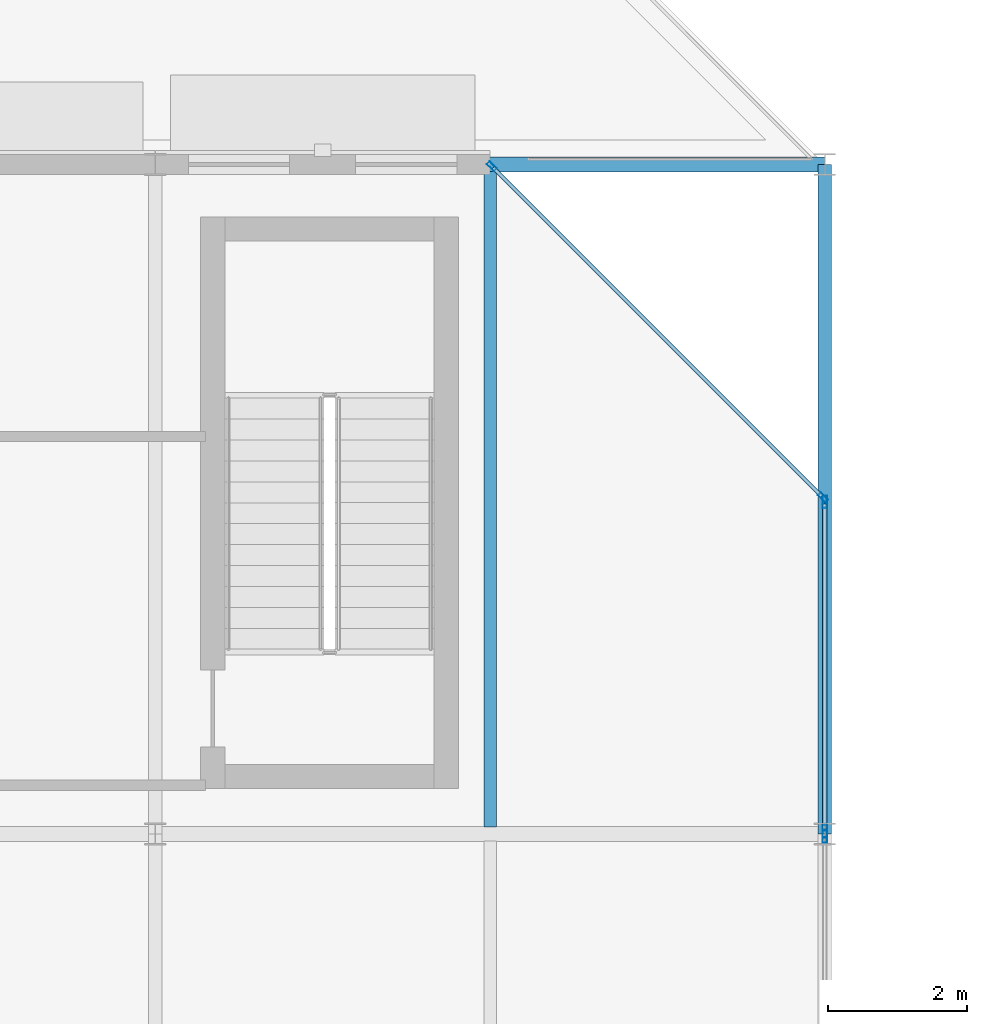
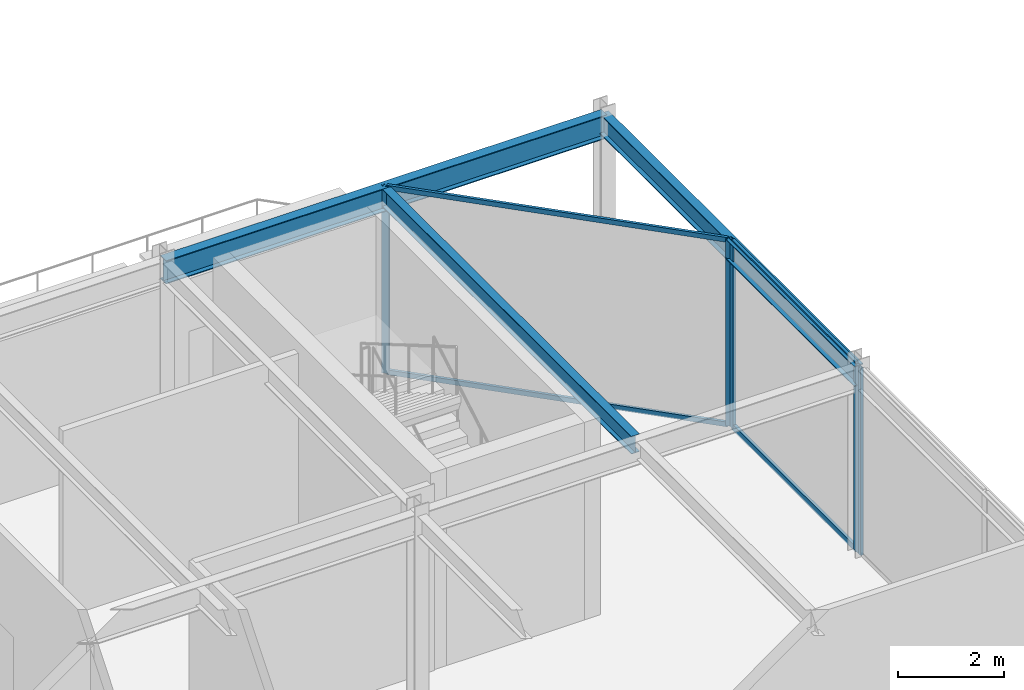
# One storey, part 17 of 50: 9 members, 3 beams, 3 elements without a shape of their own.
"""IFC4 building model written with IfcOpenShell, lengths in metres."""

from ifc_helpers import new_model, si_unit, direction, frame, origin, origin_2d, place, context, subcontext, project, spatial, hollow_rectangle, i_section, extrude, material, material_profile, profile_set, type_object, element, aggregate, save


model = new_model("IFC4")

# Units and contexts
model_context = context("Model", 3, precision=1e-05, world=origin(), true_north=direction((0.0, 1.0)))
body_context = subcontext(model_context, "Body", "Model", "MODEL_VIEW")
ifc_project = project(units=[si_unit("LENGTHUNIT", "METRE"), si_unit("AREAUNIT", "SQUARE_METRE"), si_unit("VOLUMEUNIT", "CUBIC_METRE"), si_unit("PLANEANGLEUNIT", "RADIAN"), si_unit("MASSUNIT", "GRAM", prefix="KILO")], contexts=[model_context])

# Site, building, storey
site_placement = place(None, origin())
site = spatial("IfcSite", under=ifc_project, at=site_placement, CompositionType="ELEMENT")
building_placement = place(site_placement, origin())
building = spatial("IfcBuilding", under=site, at=building_placement, Name="Almandine Court Research Institute", CompositionType="ELEMENT")
storey_placement = place(building_placement, frame((0.0, 0.0, 23.449951171875)))
storey = spatial("IfcBuildingStorey", under=building, at=storey_placement, Name="L05", CompositionType="ELEMENT", Elevation=23.449951171875)

# Beams
ifc_material_1 = material(Name="Steel ASTM A992 Grade 50", Category="steel")
ifc_material_profile_1 = material_profile(ifc_material_1, i_section(OverallWidth=0.178955078125, OverallDepth=0.409912109375, WebThickness=0.009033203125, FlangeThickness=0.013916015625, at=origin_2d()), Name="W410x67")
ifc_profile_set_1 = profile_set([ifc_material_profile_1], Name="Steel ASTM A992 Grade 50")
beam_type_1 = type_object("IfcBeamType", Name="Beam-B-02", PredefinedType="JOIST", material=ifc_profile_set_1)
beam_1_placement = place(storey_placement, frame((30.0, 103.302978515625, 4.10302734375), z_axis=(0.0, 1.0, 0.0), x_axis=(-1.0, 0.0, 0.0)))
element("IfcBeam", 1, at=beam_1_placement, inside=storey, type_object=beam_type_1, Name="L05 V3 Composite Secondary Beam", PredefinedType="JOIST", context=body_context, shape_type="SweptSolid", body=[
    extrude(i_section(OverallWidth=0.178955078125, OverallDepth=0.409912109375, WebThickness=0.009033203125, FlangeThickness=0.013916015625, at=origin_2d()), origin(), (0.0, 0.0, 1.0), 9.39404296875),
])
ifc_material_profile_2 = material_profile(ifc_material_1, i_section(OverallWidth=0.2109375, OverallDepth=0.5390625, WebThickness=0.011962890625, FlangeThickness=0.01904296875, at=origin_2d()), Name="W530x109")
ifc_profile_set_2 = profile_set([ifc_material_profile_2], Name="Steel ASTM A992 Grade 50")
beam_type_2 = type_object("IfcBeamType", Name="Beam-G-04", PredefinedType="BEAM", material=ifc_profile_set_2)
beam_2_placement = place(storey_placement, frame((25.199951171875, 112.800048828125, 4.0390625), z_axis=(1.0, 0.0, 0.0), x_axis=(0.0, 1.0, 0.0)))
element("IfcBeam", 2, at=beam_2_placement, inside=storey, type_object=beam_type_2, Name="L05 V3 Primary X Girder", PredefinedType="BEAM", context=body_context, shape_type="SweptSolid", body=[
    extrude(i_section(OverallWidth=0.2109375, OverallDepth=0.5390625, WebThickness=0.011962890625, FlangeThickness=0.01904296875, at=origin_2d()), origin(), (0.0, 0.0, 1.0), 9.60009765625),
])
ifc_material_profile_3 = material_profile(ifc_material_1, i_section(OverallWidth=0.193115234375, OverallDepth=0.466064453125, WebThickness=0.010986328125, FlangeThickness=0.01904296875, at=origin_2d()), Name="W460x97")
ifc_profile_set_3 = profile_set([ifc_material_profile_3], Name="Steel ASTM A992 Grade 50")
beam_type_3 = type_object("IfcBeamType", Name="Beam-G-06-E", PredefinedType="SPANDREL", material=ifc_profile_set_3)
beam_3_placement = place(storey_placement, frame((34.800048828125, 103.199951171875, 4.074951171875), z_axis=(0.0, 1.0, 0.0), x_axis=(-1.0, 0.0, 0.0)))
element("IfcBeam", 3, at=beam_3_placement, inside=storey, type_object=beam_type_3, Name="L05 V3 Primary Y Girder", PredefinedType="SPANDREL", context=body_context, shape_type="SweptSolid", body=[
    extrude(i_section(OverallWidth=0.193115234375, OverallDepth=0.466064453125, WebThickness=0.010986328125, FlangeThickness=0.01904296875, at=origin_2d()), origin(), (0.0, 0.0, 1.0), 9.60009765625),
])

# Curtain wall, members
ifc_material_2 = material(Name="Unitised Curtain Wall Framing and Solar Glazing", Category="glass")
curtain_wall_type_1 = type_object("IfcCurtainWallType", Name="CW-CWG-10", PredefinedType="USERDEFINED", material=ifc_material_2)
curtain_wall_1_placement = place(storey_placement, origin())
curtain_wall_1 = element("IfcCurtainWall", 4, at=curtain_wall_1_placement, inside=storey, type_object=curtain_wall_type_1, Name="L05 Cleanroom NE Chamfer Glazing", ObjectType="UNITISED GLAZING", PredefinedType="USERDEFINED")
ifc_material_3 = material(Name="Anodised Aluminium AW-6063-T6", Category="aluminium")
ifc_material_profile_4 = material_profile(ifc_material_3, hollow_rectangle(XDim=0.06005859375, YDim=0.14990234375, WallThickness=0.00390625, at=origin_2d()), Name="ALU RHS 60x150x4")
ifc_profile_set_4 = profile_set([ifc_material_profile_4], Name="Anodised Aluminium AW-6063-T6")
member_type_1 = type_object("IfcMemberType", Name="CWMul-60x150", PredefinedType="MULLION", material=ifc_profile_set_4)
member_1_placement = place(storey_placement, frame((30.025146484375, 112.77490234375, 0.0), z_axis=(0.0, 0.0, 1.0), x_axis=(0.707106781187, 0.707106781187, 0.0)))
member_1 = element("IfcMember", 5, at=member_1_placement, type_object=member_type_1, Name="CWG-10 mullion 1", PredefinedType="MULLION", context=body_context, shape_type="SweptSolid", body=[
    extrude(hollow_rectangle(XDim=0.06005859375, YDim=0.14990234375, WallThickness=0.00390625, at=origin_2d()), origin(), (0.0, 0.0, 1.0), 4.31005859375),
])
member_2_placement = place(storey_placement, frame((34.77490234375, 108.025146484375, 0.0), z_axis=(0.0, 0.0, 1.0), x_axis=(0.707106781187, 0.707106781187, 0.0)))
member_2 = element("IfcMember", 6, at=member_2_placement, type_object=member_type_1, Name="CWG-10 mullion 2", PredefinedType="MULLION", context=body_context, shape_type="SweptSolid", body=[
    extrude(hollow_rectangle(XDim=0.06005859375, YDim=0.14990234375, WallThickness=0.00390625, at=origin_2d()), origin(), (0.0, 0.0, 1.0), 4.31005859375),
])

# Curtain wall, member
curtain_wall_type_2 = type_object("IfcCurtainWallType", Name="CW-CWJ-11", PredefinedType="USERDEFINED", material=ifc_material_2)
curtain_wall_2_placement = place(storey_placement, origin())
curtain_wall_2 = element("IfcCurtainWall", 7, at=curtain_wall_2_placement, inside=storey, type_object=curtain_wall_type_2, Name="L05 Cleanroom East Courtyard Jali Screen 2", ObjectType="SOLAR JALI SCREEN", PredefinedType="USERDEFINED")
ifc_material_profile_5 = material_profile(ifc_material_3, hollow_rectangle(XDim=0.06494140625, YDim=0.179931640625, WallThickness=0.00390625, at=origin_2d()), Name="ALU RHS 65x180x4")
ifc_profile_set_5 = profile_set([ifc_material_profile_5], Name="Anodised Aluminium AW-6063-T6")
member_type_2 = type_object("IfcMemberType", Name="CWMul-65x180", PredefinedType="MULLION", material=ifc_profile_set_5)
member_3_placement = place(storey_placement, frame((34.800048828125, 103.16357421875, 0.0), z_axis=(0.0, 0.0, 1.0), x_axis=(1.0, 0.0, 0.0)))
member_3 = element("IfcMember", 8, at=member_3_placement, type_object=member_type_2, Name="CWJ-11 mullion 1", PredefinedType="MULLION", context=body_context, shape_type="SweptSolid", body=[
    extrude(hollow_rectangle(XDim=0.06494140625, YDim=0.179931640625, WallThickness=0.00390625, at=origin_2d()), origin(), (0.0, 0.0, 1.0), 4.31005859375),
])
aggregate(curtain_wall_2, [member_3])

# Curtain wall, members
curtain_wall_type_3 = type_object("IfcCurtainWallType", Name="CW-CWJ-12", PredefinedType="USERDEFINED", material=ifc_material_2)
curtain_wall_3_placement = place(storey_placement, origin())
curtain_wall_3 = element("IfcCurtainWall", 9, at=curtain_wall_3_placement, inside=storey, type_object=curtain_wall_type_3, Name="L05 Cleanroom East Courtyard Jali Screen 3", ObjectType="SOLAR JALI SCREEN", PredefinedType="USERDEFINED")
member_4_placement = place(storey_placement, frame((34.800048828125, 107.96337890625, 0.0), z_axis=(0.0, 0.0, 1.0), x_axis=(1.0, 0.0, 0.0)))
member_4 = element("IfcMember", 10, at=member_4_placement, type_object=member_type_2, Name="CWJ-12 mullion 1", PredefinedType="MULLION", context=body_context, shape_type="SweptSolid", body=[
    extrude(hollow_rectangle(XDim=0.06494140625, YDim=0.179931640625, WallThickness=0.00390625, at=origin_2d()), origin(), (0.0, 0.0, 1.0), 4.31005859375),
])
member_5_placement = place(storey_placement, frame((34.800048828125, 103.236572265625, 0.0), z_axis=(0.0, 0.0, 1.0), x_axis=(1.0, 0.0, 0.0)))
member_5 = element("IfcMember", 11, at=member_5_placement, type_object=member_type_2, Name="CWJ-12 mullion 2", PredefinedType="MULLION", context=body_context, shape_type="SweptSolid", body=[
    extrude(hollow_rectangle(XDim=0.06494140625, YDim=0.179931640625, WallThickness=0.00390625, at=origin_2d()), origin(), (0.0, 0.0, 1.0), 4.31005859375),
])

# Member
ifc_material_profile_6 = material_profile(ifc_material_3, hollow_rectangle(XDim=0.06005859375, YDim=0.110107421875, WallThickness=0.00390625, at=origin_2d()), Name="ALU RHS 60x110x4")
ifc_profile_set_6 = profile_set([ifc_material_profile_6], Name="Anodised Aluminium AW-6063-T6")
member_type_3 = type_object("IfcMemberType", Name="CWTrn-60x110", PredefinedType="NOTDEFINED", material=ifc_profile_set_6)
member_6_placement = place(storey_placement, frame((30.04638671875, 112.753662109375, 0.030029296875), z_axis=(0.707106781187, -0.707106781187, 0.0), x_axis=(0.707106781187, 0.707106781187, 0.0)))
member_6 = element("IfcMember", 12, at=member_6_placement, type_object=member_type_3, Name="CWG-10 transom 1.1", ObjectType="TRANSOM", PredefinedType="USERDEFINED", context=body_context, shape_type="SweptSolid", body=[
    extrude(hollow_rectangle(XDim=0.06005859375, YDim=0.110107421875, WallThickness=0.00390625, at=origin_2d()), origin(), (0.0, 0.0, 1.0), 6.656982421875),
])

member_7_placement = place(storey_placement, frame((30.04638671875, 112.753662109375, 4.280029296875), z_axis=(0.707106781187, -0.707106781187, 0.0), x_axis=(0.707106781187, 0.707106781187, 0.0)))
member_7 = element("IfcMember", 13, at=member_7_placement, type_object=member_type_3, Name="CWG-10 transom 1.2", ObjectType="TRANSOM", PredefinedType="USERDEFINED", context=body_context, shape_type="SweptSolid", body=[
    extrude(hollow_rectangle(XDim=0.06005859375, YDim=0.110107421875, WallThickness=0.00390625, at=origin_2d()), origin(), (0.0, 0.0, 1.0), 6.656982421875),
])

aggregate(curtain_wall_1, [member_1, member_2, member_6, member_7])

ifc_material_profile_7 = material_profile(ifc_material_3, hollow_rectangle(XDim=0.06494140625, YDim=0.1298828125, WallThickness=0.00390625, at=origin_2d()), Name="ALU RHS 65x130x4")
ifc_profile_set_7 = profile_set([ifc_material_profile_7], Name="Anodised Aluminium AW-6063-T6")
member_type_4 = type_object("IfcMemberType", Name="CWTrn-65x130", PredefinedType="NOTDEFINED", material=ifc_profile_set_7)
member_8_placement = place(storey_placement, frame((34.800048828125, 107.930908203125, 0.032470703125), z_axis=(0.0, -1.0, 0.0), x_axis=(1.0, 0.0, 0.0)))
member_8 = element("IfcMember", 14, at=member_8_placement, type_object=member_type_4, Name="CWJ-12 transom 1.1", ObjectType="TRANSOM", PredefinedType="USERDEFINED", context=body_context, shape_type="SweptSolid", body=[
    extrude(hollow_rectangle(XDim=0.06494140625, YDim=0.1298828125, WallThickness=0.00390625, at=origin_2d()), origin(), (0.0, 0.0, 1.0), 4.661865234375),
])

member_9_placement = place(storey_placement, frame((34.800048828125, 107.930908203125, 4.277587890625), z_axis=(0.0, -1.0, 0.0), x_axis=(1.0, 0.0, 0.0)))
member_9 = element("IfcMember", 15, at=member_9_placement, type_object=member_type_4, Name="CWJ-12 transom 1.2", ObjectType="TRANSOM", PredefinedType="USERDEFINED", context=body_context, shape_type="SweptSolid", body=[
    extrude(hollow_rectangle(XDim=0.06494140625, YDim=0.1298828125, WallThickness=0.00390625, at=origin_2d()), origin(), (0.0, 0.0, 1.0), 4.661865234375),
])

aggregate(curtain_wall_3, [member_4, member_5, member_8, member_9])

save(model, "model.ifc")
